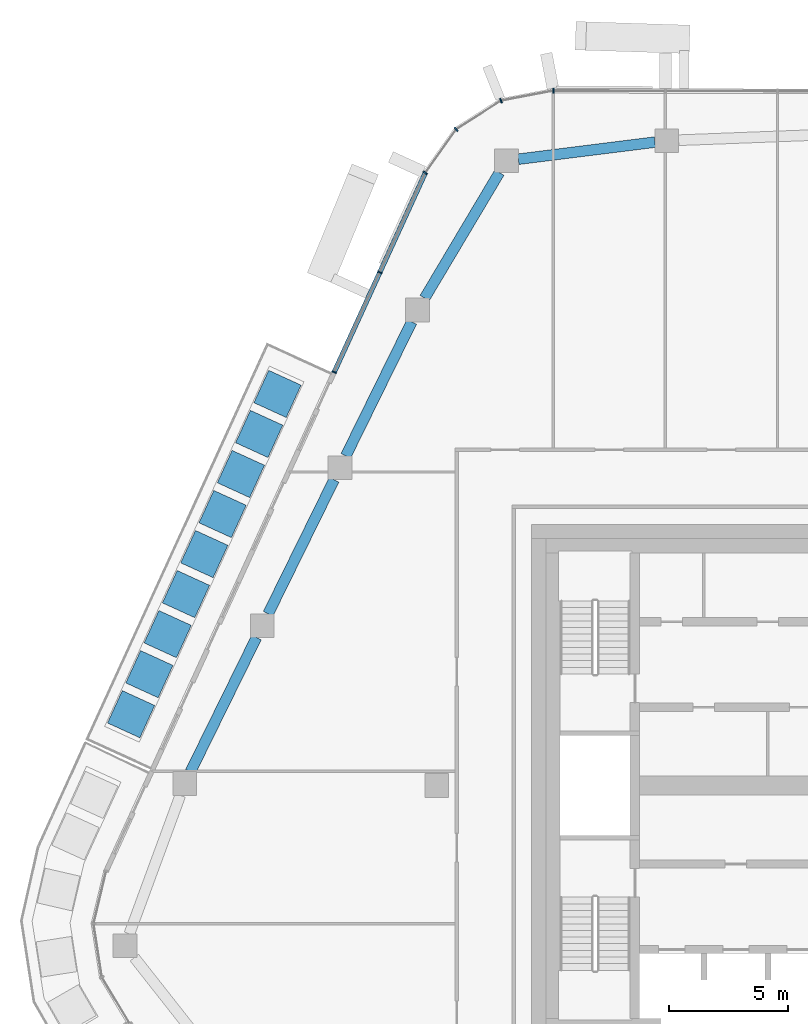
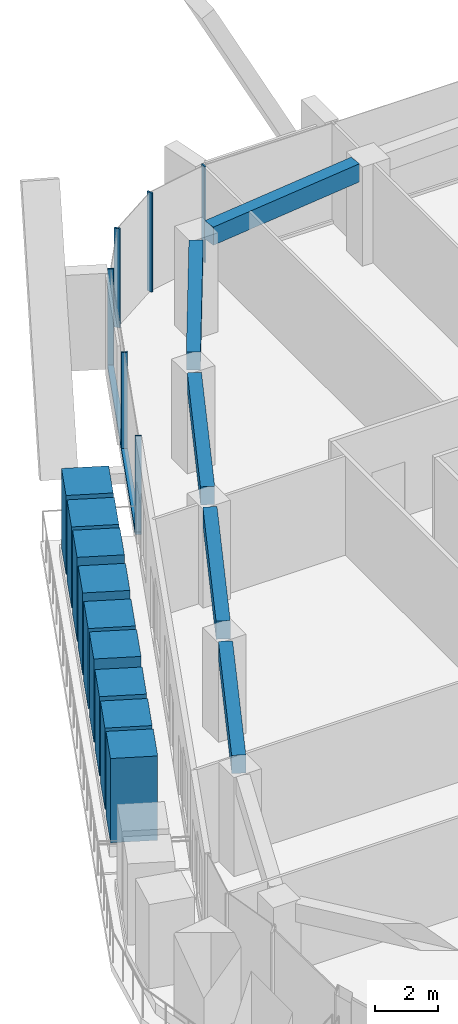
# One storey, part 6 of 24: 16 members, 5 beams, 3 elements without a shape of their own.
"""IFC4 building model written with IfcOpenShell, lengths in metres."""

import ifcopenshell
import ifcopenshell.guid

model = None  # the IFC model being written
_history = None  # IfcOwnerHistory: only IFC2X3 demands one
_inside = {}  # id of a spatial element -> (the spatial element, [elements in it])
_under = {}  # id of a project, library or spatial element -> (it, [spatial elements below it])
_declared = {}  # id of a project -> (the project, [libraries it declares])
_typed = {}  # id of a type object -> (the type object, [elements of that type])
_made_of = {}  # id of a material, layer set ... -> (it, [elements and type objects made of it])


def new_model(schema):
    """Start an empty IFC model of exactly this schema.

    Asked for "IFC4X3", IfcOpenShell would pick the latest addendum, in which some entities
    have other attributes; the version numbers below select the first issue.
    IFC2X3 requires an IfcOwnerHistory on every rooted entity: one is made here for all.
    """
    global model, _history
    if schema == "IFC4X3":
        model = ifcopenshell.file(schema_version=(4, 3, 0, 0))
    else:
        model = ifcopenshell.file(schema=schema)
    _inside.clear()
    _under.clear()
    _declared.clear()
    _typed.clear()
    _made_of.clear()
    _history = None
    if model.schema == "IFC2X3":
        org = make("IfcOrganization", Name="unknown")
        user = make(
            "IfcPersonAndOrganization",
            ThePerson=make("IfcPerson", FamilyName="unknown"),
            TheOrganization=org,
        )
        app = make(
            "IfcApplication",
            ApplicationDeveloper=org,
            Version="unknown",
            ApplicationFullName="unknown",
            ApplicationIdentifier="unknown",
        )
        _history = make(
            "IfcOwnerHistory",
            OwningUser=user,
            OwningApplication=app,
            ChangeAction="ADDED",
            CreationDate=0,
        )
    return model


def make(cls, **values):
    """One entity of the class cls with the attributes given. An attribute that is None is left unset."""
    return model.create_entity(
        cls, **{name: value for name, value in values.items() if value is not None}
    )


def rooted(cls, **values):
    """An entity with a GlobalId (a new one), such as an element, a storey or a relation."""
    return make(cls, GlobalId=ifcopenshell.guid.new(), OwnerHistory=_history, **values)


def si_unit(unit_type, name, prefix=None):
    """IfcSIUnit, for example si_unit("LENGTHUNIT", "METRE", prefix="MILLI")."""
    return make("IfcSIUnit", UnitType=unit_type, Prefix=prefix, Name=name)


def assignment(units):
    """IfcUnitAssignment: the units of a project."""
    return None if units is None else make("IfcUnitAssignment", Units=units)


def point(xyz):
    """IfcCartesianPoint."""
    return None if xyz is None else make("IfcCartesianPoint", Coordinates=xyz)


def direction(xyz):
    """IfcDirection."""
    return None if xyz is None else make("IfcDirection", DirectionRatios=xyz)


def frame(location, z_axis=None, x_axis=None):
    """IfcAxis2Placement3D, a coordinate frame: its origin and axes. An axis left out is left unset."""
    return make(
        "IfcAxis2Placement3D",
        Location=point(location),
        Axis=direction(z_axis),
        RefDirection=direction(x_axis),
    )


def frame_2d(location, x_axis=None):
    """IfcAxis2Placement2D, a coordinate frame in the plane: its origin and x axis."""
    return make(
        "IfcAxis2Placement2D", Location=point(location), RefDirection=direction(x_axis)
    )


def origin():
    """The frame at (0, 0, 0) with its axes left unset."""
    return frame((0.0, 0.0, 0.0))


def origin_2d():
    """The frame at (0, 0) in the plane with its x axis left unset."""
    return frame_2d((0.0, 0.0))


def place(relative_to, where):
    """IfcLocalPlacement: puts the frame where relative to a parent placement (None: the world)."""
    return make(
        "IfcLocalPlacement", PlacementRelTo=relative_to, RelativePlacement=where
    )


def context(
    kind, dimensions, precision=None, world=None, true_north=None, identifier=None
):
    """IfcGeometricRepresentationContext, for example the 3D "Model" context."""
    return make(
        "IfcGeometricRepresentationContext",
        ContextIdentifier=identifier,
        ContextType=kind,
        CoordinateSpaceDimension=dimensions,
        Precision=precision,
        WorldCoordinateSystem=world,
        TrueNorth=true_north,
    )


def subcontext(parent, identifier, kind, view, scale=None):
    """IfcGeometricRepresentationSubContext, for example "Body" below "Model"."""
    return make(
        "IfcGeometricRepresentationSubContext",
        ContextIdentifier=identifier,
        ContextType=kind,
        ParentContext=parent,
        TargetScale=scale,
        TargetView=view,
    )


def project(units=None, contexts=None):
    """IfcProject with its units and contexts."""
    return rooted(
        "IfcProject",
        Name="project",
        RepresentationContexts=contexts,
        UnitsInContext=assignment(units),
    )


def spatial(cls, under=None, at=None, **own):
    """A site, building, storey or space (cls), placed at a placement, below another one or the project."""
    s = rooted(cls, ObjectPlacement=at, **own)
    if under is not None:
        _under.setdefault(under.id(), (under, []))[1].append(s)
    return s


def profile(cls, at=None, kind="AREA", **sizes):
    """A parametric profile (cls). Its sizes go by their IFC names, for example OverallWidth=200.0."""
    return make(cls, ProfileType=kind, Position=at, **sizes)


def rectangle(**sizes):
    """IfcRectangleProfileDef."""
    return profile("IfcRectangleProfileDef", **sizes)


def extrude(swept, where, along, depth):
    """IfcExtrudedAreaSolid: the profile swept, set in the frame where, extruded along a direction by depth."""
    return make(
        "IfcExtrudedAreaSolid",
        SweptArea=swept,
        Position=where,
        ExtrudedDirection=direction(along),
        Depth=depth,
    )


def shape(context_of_items, identifier, shape_type, items):
    """IfcShapeRepresentation: the items that make up one representation, for example the "Body"."""
    return make(
        "IfcShapeRepresentation",
        ContextOfItems=context_of_items,
        RepresentationIdentifier=identifier,
        RepresentationType=shape_type,
        Items=items,
    )


def material(Name=None, Category=None):
    """IfcMaterial."""
    return make("IfcMaterial", Name=Name, Category=Category)


def layer(
    of_material, thickness, ventilated=None, Name=None, Category=None, Priority=None
):
    """IfcMaterialLayer: one layer of a wall or slab, of a material (None: an air gap)."""
    return make(
        "IfcMaterialLayer",
        Material=of_material,
        LayerThickness=thickness,
        IsVentilated=ventilated,
        Name=Name,
        Category=Category,
        Priority=Priority,
    )


def layer_set(layers, Name=None):
    """IfcMaterialLayerSet."""
    return make("IfcMaterialLayerSet", MaterialLayers=layers, LayerSetName=Name)


def material_profile(
    of_material, cross_section, Name=None, Category=None, Priority=None
):
    """IfcMaterialProfile: a cross section and its material."""
    return make(
        "IfcMaterialProfile",
        Name=Name,
        Material=of_material,
        Profile=cross_section,
        Priority=Priority,
        Category=Category,
    )


def profile_set(profiles, Name=None, composite=None):
    """IfcMaterialProfileSet."""
    return make(
        "IfcMaterialProfileSet",
        Name=Name,
        MaterialProfiles=profiles,
        CompositeProfile=composite,
    )


def made_of(thing, what):
    """Note that an element or type object is made of a material, layer set ...; save() writes the relation."""
    if what is not None:
        _made_of.setdefault(what.id(), (what, []))[1].append(thing)
    return thing


def type_object(cls, material=None, **own):
    """A type object (cls), such as IfcWallType, which elements share."""
    return made_of(rooted(cls, **own), material)


def element(
    cls,
    number,
    at=None,
    inside=None,
    cuts=None,
    type_object=None,
    material=None,
    context=None,
    identifier="Body",
    shape_type=None,
    held_by="IfcProductDefinitionShape",
    body=None,
    shapes=None,
    **own,
):
    """One element of the class cls, such as IfcWall. Its Tag is "e" and its number.

    at: its placement. inside: the storey or other place that contains it. cuts: it is an
    opening in that element (IfcRelVoidsElement). A single representation is given by context,
    identifier, shape_type and body (its items); several are given by shapes. held_by: the class
    of the entity that holds the representations. save() writes the other relations.
    """
    e = rooted(cls, Tag="e%d" % number, ObjectPlacement=at, **own)
    if body is not None:
        shapes = [shape(context, identifier, shape_type, body)]
    if shapes is not None:
        e.Representation = make(held_by, Representations=shapes)
    if inside is not None:
        _inside.setdefault(inside.id(), (inside, []))[1].append(e)
    if cuts is not None:
        rooted(
            "IfcRelVoidsElement", RelatingBuildingElement=cuts, RelatedOpeningElement=e
        )
    if type_object is not None:
        _typed.setdefault(type_object.id(), (type_object, []))[1].append(e)
    return made_of(e, material)


def aggregate(whole, parts):
    """IfcRelAggregates: a whole, such as a stair, and the parts it consists of."""
    return rooted("IfcRelAggregates", RelatingObject=whole, RelatedObjects=parts)


def save(model, path):
    """Write the relations noted so far, then the file.

    IfcRelAggregates (storeys below a building ...), IfcRelContainedInSpatialStructure (elements
    in a storey), IfcRelDefinesByType, IfcRelAssociatesMaterial and IfcRelDeclares: one each for
    every whole, place, type object, material and project.
    """
    for whole, parts in _under.values():
        aggregate(whole, parts)
    for where, things in _inside.values():
        rooted(
            "IfcRelContainedInSpatialStructure",
            RelatedElements=things,
            RelatingStructure=where,
        )
    for kind, things in _typed.values():
        rooted("IfcRelDefinesByType", RelatedObjects=things, RelatingType=kind)
    for what, things in _made_of.values():
        rooted("IfcRelAssociatesMaterial", RelatedObjects=things, RelatingMaterial=what)
    for by, libraries in _declared.values():
        rooted("IfcRelDeclares", RelatingContext=by, RelatedDefinitions=libraries)
    model.write(path)


model = new_model("IFC4")

# Units and contexts
model_context = context("Model", 3, precision=1e-05, world=origin(), true_north=direction((0.0, 1.0)))
body_context = subcontext(model_context, "Body", "Model", "MODEL_VIEW")
ifc_project = project(units=[si_unit("LENGTHUNIT", "METRE"), si_unit("AREAUNIT", "SQUARE_METRE"), si_unit("VOLUMEUNIT", "CUBIC_METRE"), si_unit("PLANEANGLEUNIT", "RADIAN"), si_unit("MASSUNIT", "GRAM", prefix="KILO")], contexts=[model_context])

# Site, building, storey
site_placement = place(None, origin())
site = spatial("IfcSite", under=ifc_project, at=site_placement, CompositionType="ELEMENT")
building_placement = place(site_placement, origin())
building = spatial("IfcBuilding", under=site, at=building_placement, Name="Dongbaek Canopy Tower", CompositionType="ELEMENT")
storey_placement = place(building_placement, frame((0.0, 0.0, 311.0)))
storey = spatial("IfcBuildingStorey", under=building, at=storey_placement, Name="L66", CompositionType="ELEMENT", Elevation=311.0)

# Curtain wall, member
ifc_material_1 = material(Name="Aluminium 6063-T6 pale anodised", Category="aluminium")
ifc_layer = layer(ifc_material_1, 0.199951171875)
ifc_layer_set = layer_set([ifc_layer], Name="CW-1 unitised tower curtain wall")
curtain_wall_type = type_object("IfcCurtainWallType", Name="CW-1 unitised tower curtain wall", PredefinedType="NOTDEFINED", material=ifc_layer_set)
curtain_wall_1_placement = place(storey_placement, origin())
curtain_wall_1 = element("IfcCurtainWall", 1, at=curtain_wall_1_placement, inside=storey, type_object=curtain_wall_type, Name="CW-1 curtain wall F1.1", PredefinedType="NOTDEFINED")
ifc_material_2 = material(Name="Aluminium 6063-T6 pale anodised", Category="aluminium")
ifc_material_profile_1 = material_profile(ifc_material_2, rectangle(XDim=0.199951171875, YDim=0.06005859375, at=origin_2d()), Name="CW-1 mullion 60 x 200")
ifc_profile_set_1 = profile_set([ifc_material_profile_1], Name="Aluminium 6063-T6 pale anodised")
member_type_1 = type_object("IfcMemberType", Name="CW-1 mullion 60 x 200", PredefinedType="MULLION", material=ifc_profile_set_1)
member_1_placement = place(storey_placement, frame((-13.08740234375, 29.26806640625, 0.1201171875), z_axis=(0.0, 0.0, 1.0), x_axis=(0.002180161438, 0.999997623445, 0.0)))
member_1 = element("IfcMember", 2, at=member_1_placement, type_object=member_type_1, Name="CW-1 mullion F1.1.6", PredefinedType="MULLION", context=body_context, shape_type="SweptSolid", body=[
    extrude(rectangle(XDim=0.199951171875, YDim=0.06005859375, at=origin_2d()), origin(), (0.0, 0.0, 1.0), 3.699951171875),
])
aggregate(curtain_wall_1, [member_1])

# Curtain wall, members
curtain_wall_2_placement = place(storey_placement, origin())
curtain_wall_2 = element("IfcCurtainWall", 3, at=curtain_wall_2_placement, inside=storey, type_object=curtain_wall_type, Name="CW-1 curtain wall K2.1", PredefinedType="NOTDEFINED")
member_2_placement = place(storey_placement, frame((-15.29345703125, 28.84716796875, 0.0), z_axis=(0.0, 0.0, 1.0), x_axis=(-0.370211315816, 0.928947566681, 0.0)))
member_2 = element("IfcMember", 4, at=member_2_placement, type_object=member_type_1, Name="CW-1 mullion K2.1.2", PredefinedType="MULLION", context=body_context, shape_type="SweptSolid", body=[
    extrude(rectangle(XDim=0.199951171875, YDim=0.06005859375, at=origin_2d()), origin(), (0.0, 0.0, 1.0), 3.820068359375),
])
member_3_placement = place(storey_placement, frame((-17.176025390625, 27.640625, 0.0), z_axis=(0.0, 0.0, 1.0), x_axis=(-0.689394718544, 0.724385893046, 0.0)))
member_3 = element("IfcMember", 5, at=member_3_placement, type_object=member_type_1, Name="CW-1 mullion K2.1.3", PredefinedType="MULLION", context=body_context, shape_type="SweptSolid", body=[
    extrude(rectangle(XDim=0.199951171875, YDim=0.06005859375, at=origin_2d()), origin(), (0.0, 0.0, 1.0), 3.820068359375),
])
member_4_placement = place(storey_placement, frame((-18.479736328125, 25.81201171875, 0.0), z_axis=(0.0, 0.0, 1.0), x_axis=(-0.814206693325, 0.580575111889, 0.0)))
member_4 = element("IfcMember", 6, at=member_4_placement, type_object=member_type_1, Name="CW-1 mullion K2.1.4", PredefinedType="MULLION", context=body_context, shape_type="SweptSolid", body=[
    extrude(rectangle(XDim=0.199951171875, YDim=0.06005859375, at=origin_2d()), origin(), (0.0, 0.0, 1.0), 3.820068359375),
])
aggregate(curtain_wall_2, [member_2, member_3, member_4])

curtain_wall_3_placement = place(storey_placement, origin())
curtain_wall_3 = element("IfcCurtainWall", 7, at=curtain_wall_3_placement, inside=storey, type_object=curtain_wall_type, Name="CW-1 curtain wall F2.1", PredefinedType="NOTDEFINED")
member_5_placement = place(storey_placement, frame((-20.397216796875, 21.617431640625, 0.1201171875), z_axis=(0.0, 0.0, 1.0), x_axis=(-0.909495883664, 0.415712926909, 0.0)))
member_5 = element("IfcMember", 8, at=member_5_placement, type_object=member_type_1, Name="CW-1 mullion F2.1.2", PredefinedType="MULLION", context=body_context, shape_type="SweptSolid", body=[
    extrude(rectangle(XDim=0.199951171875, YDim=0.06005859375, at=origin_2d()), origin(), (0.0, 0.0, 1.0), 3.699951171875),
])
member_6_placement = place(storey_placement, frame((-22.318359375, 17.4140625, 0.1201171875), z_axis=(0.0, 0.0, 1.0), x_axis=(-0.909495883664, 0.415712926909, 0.0)))
member_6 = element("IfcMember", 9, at=member_6_placement, type_object=member_type_1, Name="CW-1 mullion F2.1.3", PredefinedType="MULLION", context=body_context, shape_type="SweptSolid", body=[
    extrude(rectangle(XDim=0.199951171875, YDim=0.06005859375, at=origin_2d()), origin(), (0.0, 0.0, 1.0), 3.699951171875),
])
ifc_material_3 = material(Name="Aluminium 6063-T6 pale anodised", Category="aluminium")
ifc_material_profile_2 = material_profile(ifc_material_3, rectangle(XDim=0.199951171875, YDim=0.1201171875, at=origin_2d()), Name="CW-1 transom 120 x 200")
ifc_profile_set_2 = profile_set([ifc_material_profile_2], Name="Aluminium 6063-T6 pale anodised")
member_type_2 = type_object("IfcMemberType", Name="CW-1 transom 120 x 200", PredefinedType="USERDEFINED", material=ifc_profile_set_2)
member_7_placement = place(storey_placement, frame((-18.479736328125, 25.81201171875, 0.06005859375), z_axis=(-0.415720394045, -0.909492470543, 0.0), x_axis=(0.909492470543, -0.415720394045, 0.0)))
member_7 = element("IfcMember", 10, at=member_7_placement, type_object=member_type_2, Name="CW-1 transom F2.1.1", ObjectType="TRANSOM", PredefinedType="USERDEFINED", context=body_context, shape_type="SweptSolid", body=[
    extrude(rectangle(XDim=0.199951171875, YDim=0.1201171875, at=origin_2d()), origin(), (0.0, 0.0, 1.0), 9.233642578125),
])
aggregate(curtain_wall_3, [member_5, member_6, member_7])

# Beams
ifc_material_4 = material(Name="Concrete C60", Category="concrete")
ifc_material_profile_3 = material_profile(ifc_material_4, rectangle(XDim=0.449951171875, YDim=0.699951171875, at=origin_2d()), Name="RC EDGE BEAM 450x700 C60")
ifc_profile_set_3 = profile_set([ifc_material_profile_3], Name="Concrete C60")
beam_type = type_object("IfcBeamType", Name="RC EDGE BEAM 450x700 C60", PredefinedType="BEAM", material=ifc_profile_set_3)
for number, where, z_axis, x_axis, name in (
    (11, (-28.37109375, 0.5859375, 3.469970703125), (0.441293546446, 0.897362806152, 0.0), (-0.897362806152, 0.441293546446, 0.0), "EDGEBEAM:L66:09"),
    (12, (-25.10107421875, 7.235107421875, 3.469970703125), (0.441433810223, 0.897293815421, 0.0), (-0.897293815421, 0.441433810223, 0.0), "EDGEBEAM:L66:10"),
):
    element("IfcBeam", number, at=place(storey_placement, frame(where, z_axis=z_axis, x_axis=x_axis)), inside=storey, type_object=beam_type, Name=name, PredefinedType="BEAM", context=body_context, shape_type="SweptSolid", body=[
        extrude(rectangle(XDim=0.449951171875, YDim=0.699951171875, at=origin_2d()), origin(), (0.0, 0.0, 1.0), 6.29541015625),
    ])
beam_1_placement = place(storey_placement, frame((-21.830078125, 13.884033203125, 3.469970703125), z_axis=(0.441370345445, 0.897325034846, 0.0), x_axis=(-0.897325034846, 0.441370345445, 0.0)))
element("IfcBeam", 13, at=beam_1_placement, inside=storey, type_object=beam_type, Name="EDGEBEAM:L66:11", PredefinedType="BEAM", context=body_context, shape_type="SweptSolid", body=[
    extrude(rectangle(XDim=0.449951171875, YDim=0.699951171875, at=origin_2d()), origin(), (0.0, 0.0, 1.0), 6.294189453125),
])
beam_2_placement = place(storey_placement, frame((-18.50830078125, 20.531982421875, 3.469970703125), z_axis=(0.511535459107, 0.859262168419, 0.0), x_axis=(-0.859262168419, 0.511535459107, 0.0)))
element("IfcBeam", 14, at=beam_2_placement, inside=storey, type_object=beam_type, Name="EDGEBEAM:L66:12", PredefinedType="BEAM", context=body_context, shape_type="SweptSolid", body=[
    extrude(rectangle(XDim=0.449951171875, YDim=0.699951171875, at=origin_2d()), origin(), (0.0, 0.0, 1.0), 6.1552734375),
])
beam_3_placement = place(storey_placement, frame((-14.56201171875, 26.38330078125, 3.469970703125), z_axis=(0.992296006086, 0.123889613389, 0.0), x_axis=(-0.123889613389, 0.992296006086, 0.0)))
element("IfcBeam", 15, at=beam_3_placement, inside=storey, type_object=beam_type, Name="EDGEBEAM:L66:13", PredefinedType="BEAM", context=body_context, shape_type="SweptSolid", body=[
    extrude(rectangle(XDim=0.449951171875, YDim=0.699951171875, at=origin_2d()), origin(), (0.0, 0.0, 1.0), 5.797607421875),
])

# Members
ifc_material_5 = material(Name="Concrete C40/50 planter mass with planting", Category="concrete")
ifc_material_profile_4 = material_profile(ifc_material_5, rectangle(XDim=1.5, YDim=1.5, at=origin_2d()), Name="Terrace PLANTER shrub mass 1500 x 1500")
ifc_profile_set_4 = profile_set([ifc_material_profile_4], Name="Concrete C40/50 planter mass with planting")
member_type_3 = type_object("IfcMemberType", Name="Terrace PLANTER shrub mass 1500 x 1500", PredefinedType="USERDEFINED", material=ifc_profile_set_4)
member_8_placement = place(storey_placement, frame((-24.705810546875, 16.49658203125, 0.419921875), z_axis=(0.0, 0.0, 1.0), x_axis=(-0.909495883664, 0.415712926909, 0.0)))
element("IfcMember", 16, at=member_8_placement, inside=storey, type_object=member_type_3, Name="Planter shrubs L66 2.1", ObjectType="PLANTER", PredefinedType="USERDEFINED", context=body_context, shape_type="SweptSolid", body=[
    extrude(rectangle(XDim=1.5, YDim=1.5, at=origin_2d()), origin(), (0.0, 0.0, 1.0), 3.050048828125),
])
member_9_placement = place(storey_placement, frame((-25.4765625, 14.810302734375, 0.419921875), z_axis=(0.0, 0.0, 1.0), x_axis=(-0.909495883664, 0.415712926909, 0.0)))
element("IfcMember", 17, at=member_9_placement, inside=storey, type_object=member_type_3, Name="Planter shrubs L66 2.2", ObjectType="PLANTER", PredefinedType="USERDEFINED", context=body_context, shape_type="SweptSolid", body=[
    extrude(rectangle(XDim=1.5, YDim=1.5, at=origin_2d()), origin(), (0.0, 0.0, 1.0), 3.130126953125),
])
member_10_placement = place(storey_placement, frame((-26.247314453125, 13.1240234375, 0.419921875), z_axis=(0.0, 0.0, 1.0), x_axis=(-0.909495883664, 0.415712926909, 0.0)))
element("IfcMember", 18, at=member_10_placement, inside=storey, type_object=member_type_3, Name="Planter shrubs L66 2.3", ObjectType="PLANTER", PredefinedType="USERDEFINED", context=body_context, shape_type="SweptSolid", body=[
    extrude(rectangle(XDim=1.5, YDim=1.5, at=origin_2d()), origin(), (0.0, 0.0, 1.0), 3.25),
])
member_11_placement = place(storey_placement, frame((-27.01806640625, 11.437744140625, 0.419921875), z_axis=(0.0, 0.0, 1.0), x_axis=(-0.909495883664, 0.415712926909, 0.0)))
element("IfcMember", 19, at=member_11_placement, inside=storey, type_object=member_type_3, Name="Planter shrubs L66 2.4", ObjectType="PLANTER", PredefinedType="USERDEFINED", context=body_context, shape_type="SweptSolid", body=[
    extrude(rectangle(XDim=1.5, YDim=1.5, at=origin_2d()), origin(), (0.0, 0.0, 1.0), 3.170166015625),
])
member_12_placement = place(storey_placement, frame((-27.788818359375, 9.75146484375, 0.419921875), z_axis=(0.0, 0.0, 1.0), x_axis=(-0.909495883664, 0.415712926909, 0.0)))
element("IfcMember", 20, at=member_12_placement, inside=storey, type_object=member_type_3, Name="Planter shrubs L66 2.5", ObjectType="PLANTER", PredefinedType="USERDEFINED", context=body_context, shape_type="SweptSolid", body=[
    extrude(rectangle(XDim=1.5, YDim=1.5, at=origin_2d()), origin(), (0.0, 0.0, 1.0), 3.090087890625),
])
member_13_placement = place(storey_placement, frame((-28.5595703125, 8.065185546875, 0.419921875), z_axis=(0.0, 0.0, 1.0), x_axis=(-0.909495883664, 0.415712926909, 0.0)))
element("IfcMember", 21, at=member_13_placement, inside=storey, type_object=member_type_3, Name="Planter shrubs L66 2.6", ObjectType="PLANTER", PredefinedType="USERDEFINED", context=body_context, shape_type="SweptSolid", body=[
    extrude(rectangle(XDim=1.5, YDim=1.5, at=origin_2d()), origin(), (0.0, 0.0, 1.0), 3.2099609375),
])
member_14_placement = place(storey_placement, frame((-29.330322265625, 6.37890625, 0.419921875), z_axis=(0.0, 0.0, 1.0), x_axis=(-0.909495883664, 0.415712926909, 0.0)))
element("IfcMember", 22, at=member_14_placement, inside=storey, type_object=member_type_3, Name="Planter shrubs L66 2.7", ObjectType="PLANTER", PredefinedType="USERDEFINED", context=body_context, shape_type="SweptSolid", body=[
    extrude(rectangle(XDim=1.5, YDim=1.5, at=origin_2d()), origin(), (0.0, 0.0, 1.0), 3.050048828125),
])
member_15_placement = place(storey_placement, frame((-30.101318359375, 4.69287109375, 0.419921875), z_axis=(0.0, 0.0, 1.0), x_axis=(-0.909495883664, 0.415712926909, 0.0)))
element("IfcMember", 23, at=member_15_placement, inside=storey, type_object=member_type_3, Name="Planter shrubs L66 2.8", ObjectType="PLANTER", PredefinedType="USERDEFINED", context=body_context, shape_type="SweptSolid", body=[
    extrude(rectangle(XDim=1.5, YDim=1.5, at=origin_2d()), origin(), (0.0, 0.0, 1.0), 3.130126953125),
])
member_16_placement = place(storey_placement, frame((-30.8720703125, 3.006591796875, 0.419921875), z_axis=(0.0, 0.0, 1.0), x_axis=(-0.909495883664, 0.415712926909, 0.0)))
element("IfcMember", 24, at=member_16_placement, inside=storey, type_object=member_type_3, Name="Planter shrubs L66 2.9", ObjectType="PLANTER", PredefinedType="USERDEFINED", context=body_context, shape_type="SweptSolid", body=[
    extrude(rectangle(XDim=1.5, YDim=1.5, at=origin_2d()), origin(), (0.0, 0.0, 1.0), 3.25),
])

save(model, "model.ifc")
